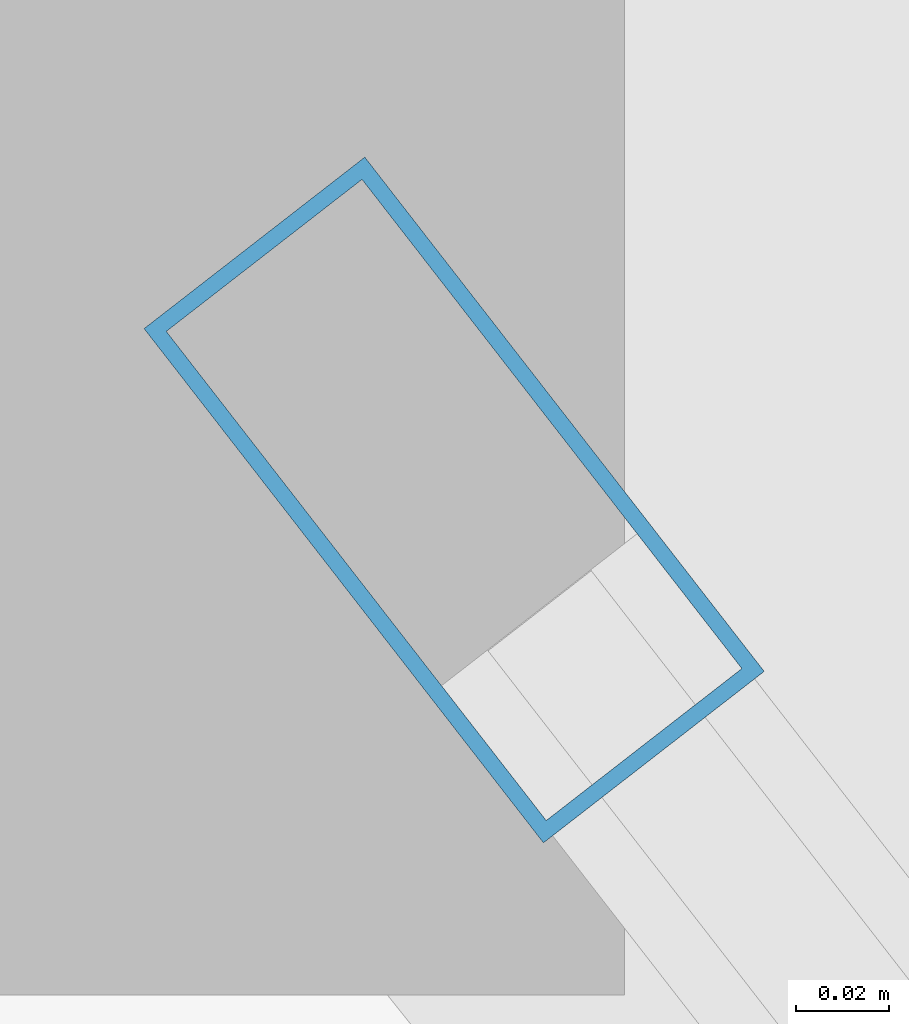
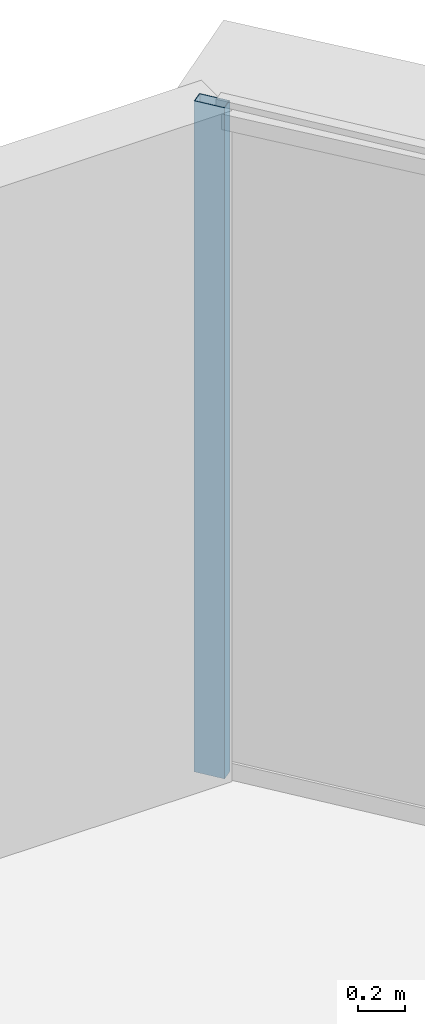
# One storey, part 26 of 33: 1 member, 1 element without a shape of its own.
"""IFC4 building model written with IfcOpenShell, lengths in metres."""

import ifcopenshell
import ifcopenshell.guid

model = None  # the IFC model being written
_history = None  # IfcOwnerHistory: only IFC2X3 demands one
_inside = {}  # id of a spatial element -> (the spatial element, [elements in it])
_under = {}  # id of a project, library or spatial element -> (it, [spatial elements below it])
_declared = {}  # id of a project -> (the project, [libraries it declares])
_typed = {}  # id of a type object -> (the type object, [elements of that type])
_made_of = {}  # id of a material, layer set ... -> (it, [elements and type objects made of it])


def new_model(schema):
    """Start an empty IFC model of exactly this schema.

    Asked for "IFC4X3", IfcOpenShell would pick the latest addendum, in which some entities
    have other attributes; the version numbers below select the first issue.
    IFC2X3 requires an IfcOwnerHistory on every rooted entity: one is made here for all.
    """
    global model, _history
    if schema == "IFC4X3":
        model = ifcopenshell.file(schema_version=(4, 3, 0, 0))
    else:
        model = ifcopenshell.file(schema=schema)
    _inside.clear()
    _under.clear()
    _declared.clear()
    _typed.clear()
    _made_of.clear()
    _history = None
    if model.schema == "IFC2X3":
        org = make("IfcOrganization", Name="unknown")
        user = make(
            "IfcPersonAndOrganization",
            ThePerson=make("IfcPerson", FamilyName="unknown"),
            TheOrganization=org,
        )
        app = make(
            "IfcApplication",
            ApplicationDeveloper=org,
            Version="unknown",
            ApplicationFullName="unknown",
            ApplicationIdentifier="unknown",
        )
        _history = make(
            "IfcOwnerHistory",
            OwningUser=user,
            OwningApplication=app,
            ChangeAction="ADDED",
            CreationDate=0,
        )
    return model


def make(cls, **values):
    """One entity of the class cls with the attributes given. An attribute that is None is left unset."""
    return model.create_entity(
        cls, **{name: value for name, value in values.items() if value is not None}
    )


def rooted(cls, **values):
    """An entity with a GlobalId (a new one), such as an element, a storey or a relation."""
    return make(cls, GlobalId=ifcopenshell.guid.new(), OwnerHistory=_history, **values)


def si_unit(unit_type, name, prefix=None):
    """IfcSIUnit, for example si_unit("LENGTHUNIT", "METRE", prefix="MILLI")."""
    return make("IfcSIUnit", UnitType=unit_type, Prefix=prefix, Name=name)


def assignment(units):
    """IfcUnitAssignment: the units of a project."""
    return None if units is None else make("IfcUnitAssignment", Units=units)


def point(xyz):
    """IfcCartesianPoint."""
    return None if xyz is None else make("IfcCartesianPoint", Coordinates=xyz)


def direction(xyz):
    """IfcDirection."""
    return None if xyz is None else make("IfcDirection", DirectionRatios=xyz)


def frame(location, z_axis=None, x_axis=None):
    """IfcAxis2Placement3D, a coordinate frame: its origin and axes. An axis left out is left unset."""
    return make(
        "IfcAxis2Placement3D",
        Location=point(location),
        Axis=direction(z_axis),
        RefDirection=direction(x_axis),
    )


def frame_2d(location, x_axis=None):
    """IfcAxis2Placement2D, a coordinate frame in the plane: its origin and x axis."""
    return make(
        "IfcAxis2Placement2D", Location=point(location), RefDirection=direction(x_axis)
    )


def origin():
    """The frame at (0, 0, 0) with its axes left unset."""
    return frame((0.0, 0.0, 0.0))


def origin_2d():
    """The frame at (0, 0) in the plane with its x axis left unset."""
    return frame_2d((0.0, 0.0))


def place(relative_to, where):
    """IfcLocalPlacement: puts the frame where relative to a parent placement (None: the world)."""
    return make(
        "IfcLocalPlacement", PlacementRelTo=relative_to, RelativePlacement=where
    )


def context(
    kind, dimensions, precision=None, world=None, true_north=None, identifier=None
):
    """IfcGeometricRepresentationContext, for example the 3D "Model" context."""
    return make(
        "IfcGeometricRepresentationContext",
        ContextIdentifier=identifier,
        ContextType=kind,
        CoordinateSpaceDimension=dimensions,
        Precision=precision,
        WorldCoordinateSystem=world,
        TrueNorth=true_north,
    )


def subcontext(parent, identifier, kind, view, scale=None):
    """IfcGeometricRepresentationSubContext, for example "Body" below "Model"."""
    return make(
        "IfcGeometricRepresentationSubContext",
        ContextIdentifier=identifier,
        ContextType=kind,
        ParentContext=parent,
        TargetScale=scale,
        TargetView=view,
    )


def project(units=None, contexts=None):
    """IfcProject with its units and contexts."""
    return rooted(
        "IfcProject",
        Name="project",
        RepresentationContexts=contexts,
        UnitsInContext=assignment(units),
    )


def spatial(cls, under=None, at=None, **own):
    """A site, building, storey or space (cls), placed at a placement, below another one or the project."""
    s = rooted(cls, ObjectPlacement=at, **own)
    if under is not None:
        _under.setdefault(under.id(), (under, []))[1].append(s)
    return s


def profile(cls, at=None, kind="AREA", **sizes):
    """A parametric profile (cls). Its sizes go by their IFC names, for example OverallWidth=200.0."""
    return make(cls, ProfileType=kind, Position=at, **sizes)


def hollow_rectangle(**sizes):
    """IfcRectangleHollowProfileDef."""
    return profile("IfcRectangleHollowProfileDef", **sizes)


def extrude(swept, where, along, depth):
    """IfcExtrudedAreaSolid: the profile swept, set in the frame where, extruded along a direction by depth."""
    return make(
        "IfcExtrudedAreaSolid",
        SweptArea=swept,
        Position=where,
        ExtrudedDirection=direction(along),
        Depth=depth,
    )


def shape(context_of_items, identifier, shape_type, items):
    """IfcShapeRepresentation: the items that make up one representation, for example the "Body"."""
    return make(
        "IfcShapeRepresentation",
        ContextOfItems=context_of_items,
        RepresentationIdentifier=identifier,
        RepresentationType=shape_type,
        Items=items,
    )


def source(mapping_origin, context_of_items, identifier, shape_type, items):
    """IfcRepresentationMap: a shape defined once, which mapped items show again and again."""
    return make(
        "IfcRepresentationMap",
        MappingOrigin=mapping_origin,
        MappedRepresentation=shape(context_of_items, identifier, shape_type, items),
    )


def transform(
    local_origin,
    x_axis=None,
    y_axis=None,
    z_axis=None,
    scale=None,
    scale2=None,
    scale3=None,
    uniform=True,
):
    """IfcCartesianTransformationOperator3D, or its non-uniform kind. x_axis, y_axis, z_axis: its Axis1, 2, 3."""
    if uniform:
        return make(
            "IfcCartesianTransformationOperator3D",
            Axis1=direction(x_axis),
            Axis2=direction(y_axis),
            LocalOrigin=point(local_origin),
            Scale=scale,
            Axis3=direction(z_axis),
        )
    return make(
        "IfcCartesianTransformationOperator3DnonUniform",
        Axis1=direction(x_axis),
        Axis2=direction(y_axis),
        LocalOrigin=point(local_origin),
        Scale=scale,
        Axis3=direction(z_axis),
        Scale2=scale2,
        Scale3=scale3,
    )


def mapped(mapping_source, mapping_target):
    """IfcMappedItem: shows the shape of a source again, moved by a transform."""
    return make(
        "IfcMappedItem", MappingSource=mapping_source, MappingTarget=mapping_target
    )


def material(Name=None, Category=None):
    """IfcMaterial."""
    return make("IfcMaterial", Name=Name, Category=Category)


def layer(
    of_material, thickness, ventilated=None, Name=None, Category=None, Priority=None
):
    """IfcMaterialLayer: one layer of a wall or slab, of a material (None: an air gap)."""
    return make(
        "IfcMaterialLayer",
        Material=of_material,
        LayerThickness=thickness,
        IsVentilated=ventilated,
        Name=Name,
        Category=Category,
        Priority=Priority,
    )


def layer_set(layers, Name=None):
    """IfcMaterialLayerSet."""
    return make("IfcMaterialLayerSet", MaterialLayers=layers, LayerSetName=Name)


def material_profile(
    of_material, cross_section, Name=None, Category=None, Priority=None
):
    """IfcMaterialProfile: a cross section and its material."""
    return make(
        "IfcMaterialProfile",
        Name=Name,
        Material=of_material,
        Profile=cross_section,
        Priority=Priority,
        Category=Category,
    )


def profile_set(profiles, Name=None, composite=None):
    """IfcMaterialProfileSet."""
    return make(
        "IfcMaterialProfileSet",
        Name=Name,
        MaterialProfiles=profiles,
        CompositeProfile=composite,
    )


def made_of(thing, what):
    """Note that an element or type object is made of a material, layer set ...; save() writes the relation."""
    if what is not None:
        _made_of.setdefault(what.id(), (what, []))[1].append(thing)
    return thing


def type_object(cls, material=None, **own):
    """A type object (cls), such as IfcWallType, which elements share."""
    return made_of(rooted(cls, **own), material)


def element(
    cls,
    number,
    at=None,
    inside=None,
    cuts=None,
    type_object=None,
    material=None,
    context=None,
    identifier="Body",
    shape_type=None,
    held_by="IfcProductDefinitionShape",
    body=None,
    shapes=None,
    **own,
):
    """One element of the class cls, such as IfcWall. Its Tag is "e" and its number.

    at: its placement. inside: the storey or other place that contains it. cuts: it is an
    opening in that element (IfcRelVoidsElement). A single representation is given by context,
    identifier, shape_type and body (its items); several are given by shapes. held_by: the class
    of the entity that holds the representations. save() writes the other relations.
    """
    e = rooted(cls, Tag="e%d" % number, ObjectPlacement=at, **own)
    if body is not None:
        shapes = [shape(context, identifier, shape_type, body)]
    if shapes is not None:
        e.Representation = make(held_by, Representations=shapes)
    if inside is not None:
        _inside.setdefault(inside.id(), (inside, []))[1].append(e)
    if cuts is not None:
        rooted(
            "IfcRelVoidsElement", RelatingBuildingElement=cuts, RelatedOpeningElement=e
        )
    if type_object is not None:
        _typed.setdefault(type_object.id(), (type_object, []))[1].append(e)
    return made_of(e, material)


def aggregate(whole, parts):
    """IfcRelAggregates: a whole, such as a stair, and the parts it consists of."""
    return rooted("IfcRelAggregates", RelatingObject=whole, RelatedObjects=parts)


def save(model, path):
    """Write the relations noted so far, then the file.

    IfcRelAggregates (storeys below a building ...), IfcRelContainedInSpatialStructure (elements
    in a storey), IfcRelDefinesByType, IfcRelAssociatesMaterial and IfcRelDeclares: one each for
    every whole, place, type object, material and project.
    """
    for whole, parts in _under.values():
        aggregate(whole, parts)
    for where, things in _inside.values():
        rooted(
            "IfcRelContainedInSpatialStructure",
            RelatedElements=things,
            RelatingStructure=where,
        )
    for kind, things in _typed.values():
        rooted("IfcRelDefinesByType", RelatedObjects=things, RelatingType=kind)
    for what, things in _made_of.values():
        rooted("IfcRelAssociatesMaterial", RelatedObjects=things, RelatingMaterial=what)
    for by, libraries in _declared.values():
        rooted("IfcRelDeclares", RelatingContext=by, RelatedDefinitions=libraries)
    model.write(path)


model = new_model("IFC4")

# Units and contexts
model_context = context("Model", 3, precision=1e-05, world=origin(), true_north=direction((0.0, 1.0)))
body_context = subcontext(model_context, "Body", "Model", "MODEL_VIEW")
ifc_project = project(units=[si_unit("LENGTHUNIT", "METRE"), si_unit("AREAUNIT", "SQUARE_METRE"), si_unit("VOLUMEUNIT", "CUBIC_METRE"), si_unit("PLANEANGLEUNIT", "RADIAN"), si_unit("MASSUNIT", "GRAM", prefix="KILO"), si_unit("THERMODYNAMICTEMPERATUREUNIT", "KELVIN"), si_unit("POWERUNIT", "WATT")], contexts=[model_context])

# Site, building, storey
site_placement = place(None, origin())
site = spatial("IfcSite", under=ifc_project, at=site_placement, CompositionType="ELEMENT")
building_placement = place(site_placement, origin())
building = spatial("IfcBuilding", under=site, at=building_placement, Name="Yunzhuo Pagoda Commons", CompositionType="ELEMENT")
storey_placement = place(building_placement, frame((0.0, 0.0, 311.1298828125)))
storey = spatial("IfcBuildingStorey", under=building, at=storey_placement, Name="L78", CompositionType="ELEMENT", Elevation=311.1298828125)

# Curtain wall, member
ifc_material = material(Name="Anodized aluminium 6063-T6", Category="aluminium")
ifc_layer = layer(ifc_material, 0.139892578125)
ifc_layer_set = layer_set([ifc_layer], Name="Anodized aluminium 6063-T6")
curtain_wall_type = type_object("IfcCurtainWallType", Name="CW-HI High-Zone Ribbon Curtain Wall", PredefinedType="NOTDEFINED", material=ifc_layer_set)
curtain_wall_placement = place(storey_placement, origin())
curtain_wall = element("IfcCurtainWall", 1, at=curtain_wall_placement, inside=storey, type_object=curtain_wall_type, Name="L78 curtain wall CW-L78-F2B5", PredefinedType="NOTDEFINED")
ifc_material_profile = material_profile(ifc_material, hollow_rectangle(XDim=0.06005859375, YDim=0.139892578125, WallThickness=0.00341796875, at=origin_2d()), Name="Anodized aluminium 6063-T6")
ifc_profile_set = profile_set([ifc_material_profile], Name="Anodized aluminium 6063-T6")
member_type = type_object("IfcMemberType", Name="CW-HI-M Mullion RHS 140x60x3.5", PredefinedType="MULLION", material=ifc_profile_set)
shared_shape = source(origin(), body_context, "Body", "SweptSolid", [
    extrude(hollow_rectangle(XDim=0.06005859375, YDim=0.139892578125, WallThickness=0.00341796875, at=origin_2d()), origin(), (0.0, 0.0, 1.0), 3.47021484375),
])
member_placement = place(storey_placement, frame((51.30419921875, 73.76220703125, 0.0), z_axis=(0.0, 0.0, 1.0), x_axis=(-0.789782734714, -0.61338669039, 0.0)))
member = element("IfcMember", 2, at=member_placement, type_object=member_type, Name="CW mullion 2", PredefinedType="MULLION", context=body_context, shape_type="MappedRepresentation", body=[
    mapped(shared_shape, transform((0.0, 0.0, 0.0), scale=1.0)),
])
aggregate(curtain_wall, [member])

save(model, "model.ifc")
